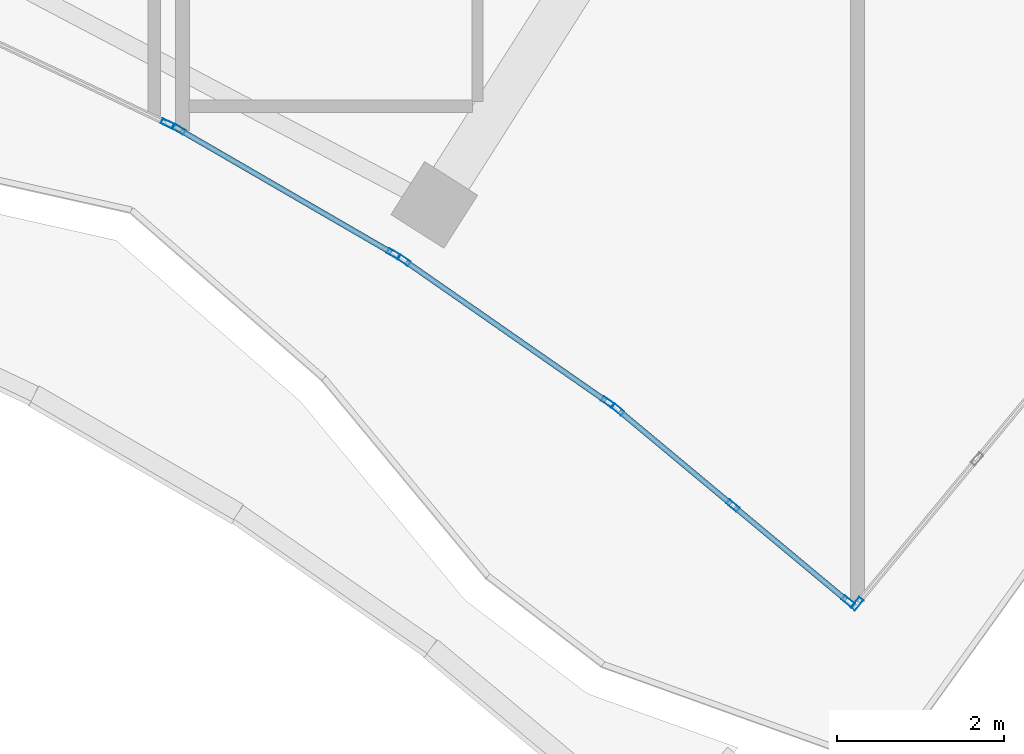
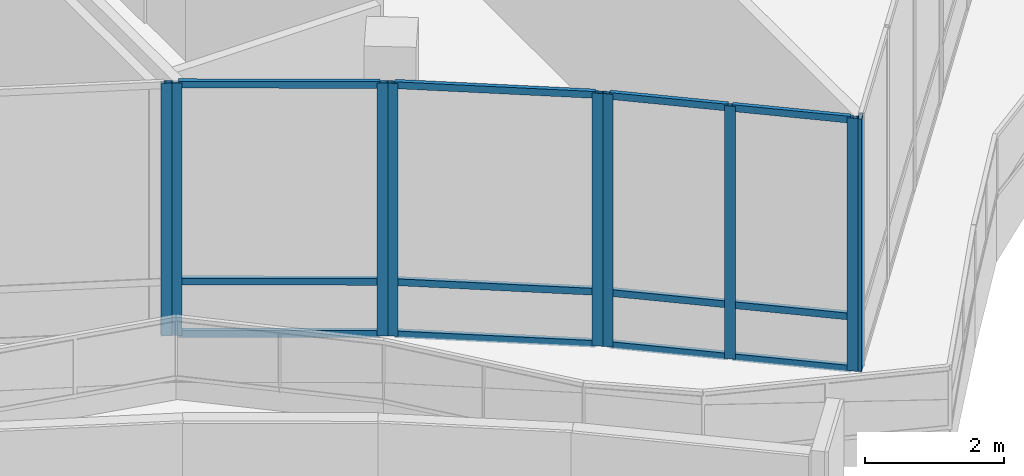
# One storey, part 102 of 168: 21 members, 5 elements without a shape of their own.
"""IFC4 building model written with IfcOpenShell, lengths in metres."""

import ifcopenshell
import ifcopenshell.guid

model = None  # the IFC model being written
_history = None  # IfcOwnerHistory: only IFC2X3 demands one
_inside = {}  # id of a spatial element -> (the spatial element, [elements in it])
_under = {}  # id of a project, library or spatial element -> (it, [spatial elements below it])
_declared = {}  # id of a project -> (the project, [libraries it declares])
_typed = {}  # id of a type object -> (the type object, [elements of that type])
_made_of = {}  # id of a material, layer set ... -> (it, [elements and type objects made of it])


def new_model(schema):
    """Start an empty IFC model of exactly this schema.

    Asked for "IFC4X3", IfcOpenShell would pick the latest addendum, in which some entities
    have other attributes; the version numbers below select the first issue.
    IFC2X3 requires an IfcOwnerHistory on every rooted entity: one is made here for all.
    """
    global model, _history
    if schema == "IFC4X3":
        model = ifcopenshell.file(schema_version=(4, 3, 0, 0))
    else:
        model = ifcopenshell.file(schema=schema)
    _inside.clear()
    _under.clear()
    _declared.clear()
    _typed.clear()
    _made_of.clear()
    _history = None
    if model.schema == "IFC2X3":
        org = make("IfcOrganization", Name="unknown")
        user = make(
            "IfcPersonAndOrganization",
            ThePerson=make("IfcPerson", FamilyName="unknown"),
            TheOrganization=org,
        )
        app = make(
            "IfcApplication",
            ApplicationDeveloper=org,
            Version="unknown",
            ApplicationFullName="unknown",
            ApplicationIdentifier="unknown",
        )
        _history = make(
            "IfcOwnerHistory",
            OwningUser=user,
            OwningApplication=app,
            ChangeAction="ADDED",
            CreationDate=0,
        )
    return model


def make(cls, **values):
    """One entity of the class cls with the attributes given. An attribute that is None is left unset."""
    return model.create_entity(
        cls, **{name: value for name, value in values.items() if value is not None}
    )


def rooted(cls, **values):
    """An entity with a GlobalId (a new one), such as an element, a storey or a relation."""
    return make(cls, GlobalId=ifcopenshell.guid.new(), OwnerHistory=_history, **values)


def si_unit(unit_type, name, prefix=None):
    """IfcSIUnit, for example si_unit("LENGTHUNIT", "METRE", prefix="MILLI")."""
    return make("IfcSIUnit", UnitType=unit_type, Prefix=prefix, Name=name)


def assignment(units):
    """IfcUnitAssignment: the units of a project."""
    return None if units is None else make("IfcUnitAssignment", Units=units)


def point(xyz):
    """IfcCartesianPoint."""
    return None if xyz is None else make("IfcCartesianPoint", Coordinates=xyz)


def direction(xyz):
    """IfcDirection."""
    return None if xyz is None else make("IfcDirection", DirectionRatios=xyz)


def frame(location, z_axis=None, x_axis=None):
    """IfcAxis2Placement3D, a coordinate frame: its origin and axes. An axis left out is left unset."""
    return make(
        "IfcAxis2Placement3D",
        Location=point(location),
        Axis=direction(z_axis),
        RefDirection=direction(x_axis),
    )


def frame_2d(location, x_axis=None):
    """IfcAxis2Placement2D, a coordinate frame in the plane: its origin and x axis."""
    return make(
        "IfcAxis2Placement2D", Location=point(location), RefDirection=direction(x_axis)
    )


def origin():
    """The frame at (0, 0, 0) with its axes left unset."""
    return frame((0.0, 0.0, 0.0))


def origin_2d():
    """The frame at (0, 0) in the plane with its x axis left unset."""
    return frame_2d((0.0, 0.0))


def place(relative_to, where):
    """IfcLocalPlacement: puts the frame where relative to a parent placement (None: the world)."""
    return make(
        "IfcLocalPlacement", PlacementRelTo=relative_to, RelativePlacement=where
    )


def context(
    kind, dimensions, precision=None, world=None, true_north=None, identifier=None
):
    """IfcGeometricRepresentationContext, for example the 3D "Model" context."""
    return make(
        "IfcGeometricRepresentationContext",
        ContextIdentifier=identifier,
        ContextType=kind,
        CoordinateSpaceDimension=dimensions,
        Precision=precision,
        WorldCoordinateSystem=world,
        TrueNorth=true_north,
    )


def subcontext(parent, identifier, kind, view, scale=None):
    """IfcGeometricRepresentationSubContext, for example "Body" below "Model"."""
    return make(
        "IfcGeometricRepresentationSubContext",
        ContextIdentifier=identifier,
        ContextType=kind,
        ParentContext=parent,
        TargetScale=scale,
        TargetView=view,
    )


def project(units=None, contexts=None):
    """IfcProject with its units and contexts."""
    return rooted(
        "IfcProject",
        Name="project",
        RepresentationContexts=contexts,
        UnitsInContext=assignment(units),
    )


def spatial(cls, under=None, at=None, **own):
    """A site, building, storey or space (cls), placed at a placement, below another one or the project."""
    s = rooted(cls, ObjectPlacement=at, **own)
    if under is not None:
        _under.setdefault(under.id(), (under, []))[1].append(s)
    return s


def profile(cls, at=None, kind="AREA", **sizes):
    """A parametric profile (cls). Its sizes go by their IFC names, for example OverallWidth=200.0."""
    return make(cls, ProfileType=kind, Position=at, **sizes)


def hollow_rectangle(**sizes):
    """IfcRectangleHollowProfileDef."""
    return profile("IfcRectangleHollowProfileDef", **sizes)


def extrude(swept, where, along, depth):
    """IfcExtrudedAreaSolid: the profile swept, set in the frame where, extruded along a direction by depth."""
    return make(
        "IfcExtrudedAreaSolid",
        SweptArea=swept,
        Position=where,
        ExtrudedDirection=direction(along),
        Depth=depth,
    )


def shape(context_of_items, identifier, shape_type, items):
    """IfcShapeRepresentation: the items that make up one representation, for example the "Body"."""
    return make(
        "IfcShapeRepresentation",
        ContextOfItems=context_of_items,
        RepresentationIdentifier=identifier,
        RepresentationType=shape_type,
        Items=items,
    )


def material(Name=None, Category=None):
    """IfcMaterial."""
    return make("IfcMaterial", Name=Name, Category=Category)


def material_profile(
    of_material, cross_section, Name=None, Category=None, Priority=None
):
    """IfcMaterialProfile: a cross section and its material."""
    return make(
        "IfcMaterialProfile",
        Name=Name,
        Material=of_material,
        Profile=cross_section,
        Priority=Priority,
        Category=Category,
    )


def profile_set(profiles, Name=None, composite=None):
    """IfcMaterialProfileSet."""
    return make(
        "IfcMaterialProfileSet",
        Name=Name,
        MaterialProfiles=profiles,
        CompositeProfile=composite,
    )


def made_of(thing, what):
    """Note that an element or type object is made of a material, layer set ...; save() writes the relation."""
    if what is not None:
        _made_of.setdefault(what.id(), (what, []))[1].append(thing)
    return thing


def type_object(cls, material=None, **own):
    """A type object (cls), such as IfcWallType, which elements share."""
    return made_of(rooted(cls, **own), material)


def element(
    cls,
    number,
    at=None,
    inside=None,
    cuts=None,
    type_object=None,
    material=None,
    context=None,
    identifier="Body",
    shape_type=None,
    held_by="IfcProductDefinitionShape",
    body=None,
    shapes=None,
    **own,
):
    """One element of the class cls, such as IfcWall. Its Tag is "e" and its number.

    at: its placement. inside: the storey or other place that contains it. cuts: it is an
    opening in that element (IfcRelVoidsElement). A single representation is given by context,
    identifier, shape_type and body (its items); several are given by shapes. held_by: the class
    of the entity that holds the representations. save() writes the other relations.
    """
    e = rooted(cls, Tag="e%d" % number, ObjectPlacement=at, **own)
    if body is not None:
        shapes = [shape(context, identifier, shape_type, body)]
    if shapes is not None:
        e.Representation = make(held_by, Representations=shapes)
    if inside is not None:
        _inside.setdefault(inside.id(), (inside, []))[1].append(e)
    if cuts is not None:
        rooted(
            "IfcRelVoidsElement", RelatingBuildingElement=cuts, RelatedOpeningElement=e
        )
    if type_object is not None:
        _typed.setdefault(type_object.id(), (type_object, []))[1].append(e)
    return made_of(e, material)


def aggregate(whole, parts):
    """IfcRelAggregates: a whole, such as a stair, and the parts it consists of."""
    return rooted("IfcRelAggregates", RelatingObject=whole, RelatedObjects=parts)


def save(model, path):
    """Write the relations noted so far, then the file.

    IfcRelAggregates (storeys below a building ...), IfcRelContainedInSpatialStructure (elements
    in a storey), IfcRelDefinesByType, IfcRelAssociatesMaterial and IfcRelDeclares: one each for
    every whole, place, type object, material and project.
    """
    for whole, parts in _under.values():
        aggregate(whole, parts)
    for where, things in _inside.values():
        rooted(
            "IfcRelContainedInSpatialStructure",
            RelatedElements=things,
            RelatingStructure=where,
        )
    for kind, things in _typed.values():
        rooted("IfcRelDefinesByType", RelatedObjects=things, RelatingType=kind)
    for what, things in _made_of.values():
        rooted("IfcRelAssociatesMaterial", RelatedObjects=things, RelatingMaterial=what)
    for by, libraries in _declared.values():
        rooted("IfcRelDeclares", RelatingContext=by, RelatedDefinitions=libraries)
    model.write(path)


model = new_model("IFC4")

# Units and contexts
model_context = context("Model", 3, precision=1e-05, world=origin(), true_north=direction((0.0, 1.0)))
body_context = subcontext(model_context, "Body", "Model", "MODEL_VIEW")
ifc_project = project(units=[si_unit("LENGTHUNIT", "METRE"), si_unit("AREAUNIT", "SQUARE_METRE"), si_unit("VOLUMEUNIT", "CUBIC_METRE"), si_unit("PLANEANGLEUNIT", "RADIAN"), si_unit("MASSUNIT", "GRAM", prefix="KILO")], contexts=[model_context])

# Site, building, storey
site_placement = place(None, origin())
site = spatial("IfcSite", under=ifc_project, at=site_placement, CompositionType="ELEMENT")
building_placement = place(site_placement, origin())
building = spatial("IfcBuilding", under=site, at=building_placement, Name="Selatvlak General Hospital", CompositionType="ELEMENT")
storey_placement = place(building_placement, frame((0.0, 0.0, 5.39990234375)))
storey = spatial("IfcBuildingStorey", under=building, at=storey_placement, Name="L01", CompositionType="ELEMENT", Elevation=5.39990234375)

# Curtain wall, member
ifc_material_1 = material(Name="Solar-control Low-E double glazing", Category="glass")
curtain_wall_type_1 = type_object("IfcCurtainWallType", Name="CW-CW-01", PredefinedType="USERDEFINED", material=ifc_material_1)
curtain_wall_1_placement = place(storey_placement, origin())
curtain_wall_1 = element("IfcCurtainWall", 1, at=curtain_wall_1_placement, inside=storey, type_object=curtain_wall_type_1, Name="Glazed facade curtain wall CW-L01-0143", ObjectType="UNITISED CURTAIN WALL", PredefinedType="USERDEFINED")
ifc_material_2 = material(Name="Dark anodised aluminium mullion", Category="aluminium")
ifc_material_profile_1 = material_profile(ifc_material_2, hollow_rectangle(XDim=0.06494140625, YDim=0.159912109375, WallThickness=0.00390625, at=origin_2d()), Name="AL-MUL 65x160x4")
ifc_profile_set_1 = profile_set([ifc_material_profile_1], Name="Dark anodised aluminium mullion")
member_type_1 = type_object("IfcMemberType", Name="CWM-01", PredefinedType="MULLION", material=ifc_profile_set_1)
member_1_placement = place(storey_placement, frame((165.59375, 44.0, 0.0), z_axis=(0.0, 0.0, 1.0), x_axis=(0.770255568727, -0.637735336049, 0.0)))
member_1 = element("IfcMember", 2, at=member_1_placement, type_object=member_type_1, Name="CW-01 mullion 4", PredefinedType="MULLION", context=body_context, shape_type="SweptSolid", body=[
    extrude(hollow_rectangle(XDim=0.06494140625, YDim=0.159912109375, WallThickness=0.00390625, at=origin_2d()), origin(), (0.0, 0.0, 1.0), 4.445068359375),
])
aggregate(curtain_wall_1, [member_1])

# Curtain wall, members
curtain_wall_type_2 = type_object("IfcCurtainWallType", Name="CW-CW-02", PredefinedType="USERDEFINED", material=ifc_material_1)
curtain_wall_2_placement = place(storey_placement, origin())
curtain_wall_2 = element("IfcCurtainWall", 3, at=curtain_wall_2_placement, inside=storey, type_object=curtain_wall_type_2, Name="Glazed facade curtain wall CW-L01-0144", ObjectType="UNITISED CURTAIN WALL", PredefinedType="USERDEFINED")
member_2_placement = place(storey_placement, frame((165.488037109375, 44.02587890625, 0.0), z_axis=(0.0, 0.0, 1.0), x_axis=(-0.640076587964, -0.768311109864, 0.0)))
member_2 = element("IfcMember", 4, at=member_2_placement, type_object=member_type_1, Name="CW-02 mullion 1", PredefinedType="MULLION", context=body_context, shape_type="SweptSolid", body=[
    extrude(hollow_rectangle(XDim=0.06494140625, YDim=0.159912109375, WallThickness=0.00390625, at=origin_2d()), origin(), (0.0, 0.0, 1.0), 4.445068359375),
])
member_3_placement = place(storey_placement, frame((164.111083984375, 45.173095703125, 0.0), z_axis=(0.0, 0.0, 1.0), x_axis=(-0.640076587964, -0.768311109864, 0.0)))
member_3 = element("IfcMember", 5, at=member_3_placement, type_object=member_type_1, Name="CW-02 mullion 2", PredefinedType="MULLION", context=body_context, shape_type="SweptSolid", body=[
    extrude(hollow_rectangle(XDim=0.06494140625, YDim=0.159912109375, WallThickness=0.00390625, at=origin_2d()), origin(), (0.0, 0.0, 1.0), 4.445068359375),
])
member_4_placement = place(storey_placement, frame((162.73388671875, 46.3203125, 0.0), z_axis=(0.0, 0.0, 1.0), x_axis=(-0.640076587964, -0.768311109864, 0.0)))
member_4 = element("IfcMember", 6, at=member_4_placement, type_object=member_type_1, Name="CW-02 mullion 3", PredefinedType="MULLION", context=body_context, shape_type="SweptSolid", body=[
    extrude(hollow_rectangle(XDim=0.06494140625, YDim=0.159912109375, WallThickness=0.00390625, at=origin_2d()), origin(), (0.0, 0.0, 1.0), 4.445068359375),
])

curtain_wall_3_placement = place(storey_placement, origin())
curtain_wall_3 = element("IfcCurtainWall", 7, at=curtain_wall_3_placement, inside=storey, type_object=curtain_wall_type_1, Name="Glazed facade curtain wall CW-L01-0145", ObjectType="UNITISED CURTAIN WALL", PredefinedType="USERDEFINED")
member_5_placement = place(storey_placement, frame((162.617431640625, 46.407470703125, 0.0), z_axis=(0.0, 0.0, 1.0), x_axis=(-0.571335076749, -0.82071690008, 0.0)))
member_5 = element("IfcMember", 8, at=member_5_placement, type_object=member_type_1, Name="CW-01 mullion 1", PredefinedType="MULLION", context=body_context, shape_type="SweptSolid", body=[
    extrude(hollow_rectangle(XDim=0.06494140625, YDim=0.159912109375, WallThickness=0.00390625, at=origin_2d()), origin(), (0.0, 0.0, 1.0), 4.445068359375),
])
member_6_placement = place(storey_placement, frame((160.1826171875, 48.1025390625, 0.0), z_axis=(0.0, 0.0, 1.0), x_axis=(-0.571335076749, -0.82071690008, 0.0)))
member_6 = element("IfcMember", 9, at=member_6_placement, type_object=member_type_1, Name="CW-01 mullion 2", PredefinedType="MULLION", context=body_context, shape_type="SweptSolid", body=[
    extrude(hollow_rectangle(XDim=0.06494140625, YDim=0.159912109375, WallThickness=0.00390625, at=origin_2d()), origin(), (0.0, 0.0, 1.0), 4.445068359375),
])

curtain_wall_4_placement = place(storey_placement, origin())
curtain_wall_4 = element("IfcCurtainWall", 10, at=curtain_wall_4_placement, inside=storey, type_object=curtain_wall_type_2, Name="Glazed facade curtain wall CW-L01-0146", ObjectType="UNITISED CURTAIN WALL", PredefinedType="USERDEFINED")
member_7_placement = place(storey_placement, frame((160.059814453125, 48.17919921875, 0.0), z_axis=(0.0, 0.0, 1.0), x_axis=(-0.501491093657, -0.865162807212, 0.0)))
member_7 = element("IfcMember", 11, at=member_7_placement, type_object=member_type_1, Name="CW-02 mullion 1", PredefinedType="MULLION", context=body_context, shape_type="SweptSolid", body=[
    extrude(hollow_rectangle(XDim=0.06494140625, YDim=0.159912109375, WallThickness=0.00390625, at=origin_2d()), origin(), (0.0, 0.0, 1.0), 4.445068359375),
])
member_8_placement = place(storey_placement, frame((157.4921875, 49.667724609375, 0.0), z_axis=(0.0, 0.0, 1.0), x_axis=(-0.501491093657, -0.865162807212, 0.0)))
member_8 = element("IfcMember", 12, at=member_8_placement, type_object=member_type_1, Name="CW-02 mullion 2", PredefinedType="MULLION", context=body_context, shape_type="SweptSolid", body=[
    extrude(hollow_rectangle(XDim=0.06494140625, YDim=0.159912109375, WallThickness=0.00390625, at=origin_2d()), origin(), (0.0, 0.0, 1.0), 4.445068359375),
])

# Curtain wall, member
curtain_wall_5_placement = place(storey_placement, origin())
curtain_wall_5 = element("IfcCurtainWall", 13, at=curtain_wall_5_placement, inside=storey, type_object=curtain_wall_type_1, Name="Glazed facade curtain wall CW-L01-0147", ObjectType="UNITISED CURTAIN WALL", PredefinedType="USERDEFINED")
member_9_placement = place(storey_placement, frame((157.362548828125, 49.73291015625, 0.0), z_axis=(0.0, 0.0, 1.0), x_axis=(-0.428525558966, -0.903529659343, 0.0)))
member_9 = element("IfcMember", 14, at=member_9_placement, type_object=member_type_1, Name="CW-01 mullion 1", PredefinedType="MULLION", context=body_context, shape_type="SweptSolid", body=[
    extrude(hollow_rectangle(XDim=0.06494140625, YDim=0.159912109375, WallThickness=0.00390625, at=origin_2d()), origin(), (0.0, 0.0, 1.0), 4.445068359375),
])
aggregate(curtain_wall_5, [member_9])

# Member
ifc_material_profile_2 = material_profile(ifc_material_2, hollow_rectangle(XDim=0.06494140625, YDim=0.1201171875, WallThickness=0.00390625, at=origin_2d()), Name="AL-TRN 65x120x4")
ifc_profile_set_2 = profile_set([ifc_material_profile_2], Name="Dark anodised aluminium mullion")
member_type_2 = type_object("IfcMemberType", Name="CWT-01", PredefinedType="USERDEFINED", material=ifc_profile_set_2)
member_10_placement = place(storey_placement, frame((165.463134765625, 44.046630859375, 0.03271484375), z_axis=(-0.768360290955, 0.640017549199, 0.0), x_axis=(-0.640017549199, -0.768360290955, 0.0)))
member_10 = element("IfcMember", 15, at=member_10_placement, type_object=member_type_2, Name="CW-02 transom 1.1", ObjectType="TRANSOM", PredefinedType="USERDEFINED", context=body_context, shape_type="SweptSolid", body=[
    extrude(hollow_rectangle(XDim=0.06494140625, YDim=0.1201171875, WallThickness=0.00390625, at=origin_2d()), origin(), (0.0, 0.0, 1.0), 1.727294921875),
])

member_11_placement = place(storey_placement, frame((165.463134765625, 44.046630859375, 0.9501953125), z_axis=(-0.768360290955, 0.640017549199, 0.0), x_axis=(-0.640017549199, -0.768360290955, 0.0)))
member_11 = element("IfcMember", 16, at=member_11_placement, type_object=member_type_2, Name="CW-02 transom 1.2", ObjectType="TRANSOM", PredefinedType="USERDEFINED", context=body_context, shape_type="SweptSolid", body=[
    extrude(hollow_rectangle(XDim=0.06494140625, YDim=0.1201171875, WallThickness=0.00390625, at=origin_2d()), origin(), (0.0, 0.0, 1.0), 1.727294921875),
])

member_12_placement = place(storey_placement, frame((165.463134765625, 44.046630859375, 4.41259765625), z_axis=(-0.768360290955, 0.640017549199, 0.0), x_axis=(-0.640017549199, -0.768360290955, 0.0)))
member_12 = element("IfcMember", 17, at=member_12_placement, type_object=member_type_2, Name="CW-02 transom 1.3", ObjectType="TRANSOM", PredefinedType="USERDEFINED", context=body_context, shape_type="SweptSolid", body=[
    extrude(hollow_rectangle(XDim=0.06494140625, YDim=0.1201171875, WallThickness=0.00390625, at=origin_2d()), origin(), (0.0, 0.0, 1.0), 1.727294921875),
])

member_13_placement = place(storey_placement, frame((164.0859375, 45.19384765625, 0.03271484375), z_axis=(-0.768302382767, 0.640087063324, 0.0), x_axis=(-0.640087063324, -0.768302382767, 0.0)))
member_13 = element("IfcMember", 18, at=member_13_placement, type_object=member_type_2, Name="CW-02 transom 2.1", ObjectType="TRANSOM", PredefinedType="USERDEFINED", context=body_context, shape_type="SweptSolid", body=[
    extrude(hollow_rectangle(XDim=0.06494140625, YDim=0.1201171875, WallThickness=0.00390625, at=origin_2d()), origin(), (0.0, 0.0, 1.0), 1.72705078125),
])

member_14_placement = place(storey_placement, frame((164.0859375, 45.19384765625, 0.9501953125), z_axis=(-0.768302382767, 0.640087063324, 0.0), x_axis=(-0.640087063324, -0.768302382767, 0.0)))
member_14 = element("IfcMember", 19, at=member_14_placement, type_object=member_type_2, Name="CW-02 transom 2.2", ObjectType="TRANSOM", PredefinedType="USERDEFINED", context=body_context, shape_type="SweptSolid", body=[
    extrude(hollow_rectangle(XDim=0.06494140625, YDim=0.1201171875, WallThickness=0.00390625, at=origin_2d()), origin(), (0.0, 0.0, 1.0), 1.72705078125),
])

member_15_placement = place(storey_placement, frame((164.0859375, 45.19384765625, 4.41259765625), z_axis=(-0.768302382767, 0.640087063324, 0.0), x_axis=(-0.640087063324, -0.768302382767, 0.0)))
member_15 = element("IfcMember", 20, at=member_15_placement, type_object=member_type_2, Name="CW-02 transom 2.3", ObjectType="TRANSOM", PredefinedType="USERDEFINED", context=body_context, shape_type="SweptSolid", body=[
    extrude(hollow_rectangle(XDim=0.06494140625, YDim=0.1201171875, WallThickness=0.00390625, at=origin_2d()), origin(), (0.0, 0.0, 1.0), 1.72705078125),
])

aggregate(curtain_wall_2, [member_2, member_3, member_4, member_10, member_11, member_12, member_13, member_14, member_15])

member_16_placement = place(storey_placement, frame((162.590576171875, 46.426025390625, 0.03271484375), z_axis=(-0.820683915696, 0.571382455556, 0.0), x_axis=(-0.571382455556, -0.820683915696, 0.0)))
member_16 = element("IfcMember", 21, at=member_16_placement, type_object=member_type_2, Name="CW-01 transom 1.1", ObjectType="TRANSOM", PredefinedType="USERDEFINED", context=body_context, shape_type="SweptSolid", body=[
    extrude(hollow_rectangle(XDim=0.06494140625, YDim=0.1201171875, WallThickness=0.00390625, at=origin_2d()), origin(), (0.0, 0.0, 1.0), 2.901611328125),
])

member_17_placement = place(storey_placement, frame((162.590576171875, 46.426025390625, 0.9501953125), z_axis=(-0.820683915696, 0.571382455556, 0.0), x_axis=(-0.571382455556, -0.820683915696, 0.0)))
member_17 = element("IfcMember", 22, at=member_17_placement, type_object=member_type_2, Name="CW-01 transom 1.2", ObjectType="TRANSOM", PredefinedType="USERDEFINED", context=body_context, shape_type="SweptSolid", body=[
    extrude(hollow_rectangle(XDim=0.06494140625, YDim=0.1201171875, WallThickness=0.00390625, at=origin_2d()), origin(), (0.0, 0.0, 1.0), 2.901611328125),
])

member_18_placement = place(storey_placement, frame((162.590576171875, 46.426025390625, 4.41259765625), z_axis=(-0.820683915696, 0.571382455556, 0.0), x_axis=(-0.571382455556, -0.820683915696, 0.0)))
member_18 = element("IfcMember", 23, at=member_18_placement, type_object=member_type_2, Name="CW-01 transom 1.3", ObjectType="TRANSOM", PredefinedType="USERDEFINED", context=body_context, shape_type="SweptSolid", body=[
    extrude(hollow_rectangle(XDim=0.06494140625, YDim=0.1201171875, WallThickness=0.00390625, at=origin_2d()), origin(), (0.0, 0.0, 1.0), 2.901611328125),
])

aggregate(curtain_wall_3, [member_5, member_6, member_16, member_17, member_18])

member_19_placement = place(storey_placement, frame((160.03173828125, 48.195556640625, 0.03271484375), z_axis=(-0.865157453333, 0.501500329953, 0.0), x_axis=(-0.501500329953, -0.865157453333, 0.0)))
member_19 = element("IfcMember", 24, at=member_19_placement, type_object=member_type_2, Name="CW-02 transom 1.1", ObjectType="TRANSOM", PredefinedType="USERDEFINED", context=body_context, shape_type="SweptSolid", body=[
    extrude(hollow_rectangle(XDim=0.06494140625, YDim=0.1201171875, WallThickness=0.00390625, at=origin_2d()), origin(), (0.0, 0.0, 1.0), 2.90283203125),
])

member_20_placement = place(storey_placement, frame((160.03173828125, 48.195556640625, 0.9501953125), z_axis=(-0.865157453333, 0.501500329953, 0.0), x_axis=(-0.501500329953, -0.865157453333, 0.0)))
member_20 = element("IfcMember", 25, at=member_20_placement, type_object=member_type_2, Name="CW-02 transom 1.2", ObjectType="TRANSOM", PredefinedType="USERDEFINED", context=body_context, shape_type="SweptSolid", body=[
    extrude(hollow_rectangle(XDim=0.06494140625, YDim=0.1201171875, WallThickness=0.00390625, at=origin_2d()), origin(), (0.0, 0.0, 1.0), 2.90283203125),
])

member_21_placement = place(storey_placement, frame((160.03173828125, 48.195556640625, 4.41259765625), z_axis=(-0.865157453333, 0.501500329953, 0.0), x_axis=(-0.501500329953, -0.865157453333, 0.0)))
member_21 = element("IfcMember", 26, at=member_21_placement, type_object=member_type_2, Name="CW-02 transom 1.3", ObjectType="TRANSOM", PredefinedType="USERDEFINED", context=body_context, shape_type="SweptSolid", body=[
    extrude(hollow_rectangle(XDim=0.06494140625, YDim=0.1201171875, WallThickness=0.00390625, at=origin_2d()), origin(), (0.0, 0.0, 1.0), 2.90283203125),
])

aggregate(curtain_wall_4, [member_7, member_8, member_19, member_20, member_21])

save(model, "model.ifc")
